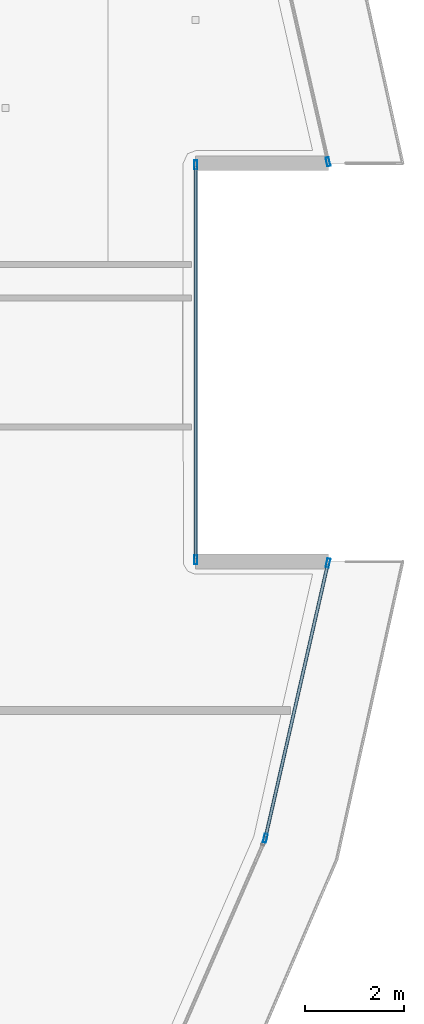
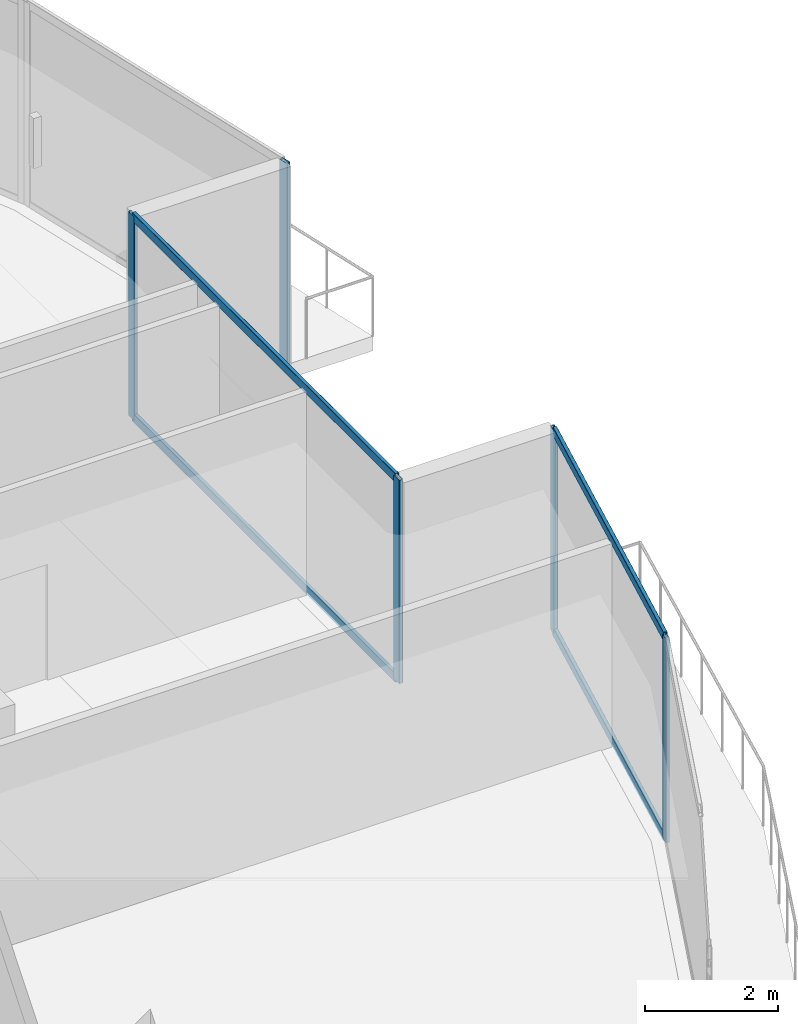
# One storey, part 14 of 34: 9 members, 3 elements without a shape of their own.
"""IFC4 building model written with IfcOpenShell, lengths in metres."""

from ifc_helpers import new_model, si_unit, direction, frame, origin, origin_2d, place, context, subcontext, project, spatial, hollow_rectangle, extrude, material, layer, layer_set, material_profile, profile_set, type_object, element, aggregate, save


model = new_model("IFC4")

# Units and contexts
model_context = context("Model", 3, precision=1e-05, world=origin(), true_north=direction((0.0, 1.0)))
body_context = subcontext(model_context, "Body", "Model", "MODEL_VIEW")
ifc_project = project(units=[si_unit("LENGTHUNIT", "METRE"), si_unit("AREAUNIT", "SQUARE_METRE"), si_unit("VOLUMEUNIT", "CUBIC_METRE"), si_unit("PLANEANGLEUNIT", "RADIAN"), si_unit("MASSUNIT", "GRAM", prefix="KILO")], contexts=[model_context])

# Site, building, storey
site_placement = place(None, origin())
site = spatial("IfcSite", under=ifc_project, at=site_placement, CompositionType="ELEMENT")
building_placement = place(site_placement, origin())
building = spatial("IfcBuilding", under=site, at=building_placement, Name="Qorvath Tower", CompositionType="ELEMENT")
storey_placement = place(building_placement, frame((0.0, 0.0, 245.550048828125)))
storey = spatial("IfcBuildingStorey", under=building, at=storey_placement, Name="L57", CompositionType="ELEMENT", Elevation=245.550048828125)

# Curtain wall, members
ifc_material_1 = material(Name="Anodised aluminium and triple low-E glass", Category="aluminium")
ifc_layer = layer(ifc_material_1, 0.179931640625)
ifc_layer_set = layer_set([ifc_layer], Name="CW-SYS-3")
curtain_wall_type = type_object("IfcCurtainWallType", Name="CW-SYS-3", PredefinedType="NOTDEFINED", material=ifc_layer_set)
curtain_wall_1_placement = place(storey_placement, origin())
curtain_wall_1 = element("IfcCurtainWall", 1, at=curtain_wall_1_placement, inside=storey, type_object=curtain_wall_type, Name="Curtain Wall CW-3 CW-T-L57-7.1", PredefinedType="NOTDEFINED")
ifc_material_2 = material(Name="Anodised aluminium 6063-T6", Category="aluminium")
ifc_material_profile_1 = material_profile(ifc_material_2, hollow_rectangle(XDim=0.06494140625, YDim=0.179931640625, WallThickness=0.00341796875, InnerFilletRadius=0.00341796875, OuterFilletRadius=0.007080078125, at=origin_2d()), Name="CWM 180x65")
ifc_profile_set_1 = profile_set([ifc_material_profile_1], Name="Anodised aluminium 6063-T6")
member_type_1 = type_object("IfcMemberType", Name="CWM-180", PredefinedType="MULLION", material=ifc_profile_set_1)
member_1_placement = place(storey_placement, frame((-1.6552734375, -9.64208984375, 0.0), z_axis=(0.0, 0.0, 1.0), x_axis=(-0.97499971703, 0.222206102058, 0.0)))
member_1 = element("IfcMember", 2, at=member_1_placement, type_object=member_type_1, Name="CW-3 mullion 1", PredefinedType="MULLION", context=body_context, shape_type="SweptSolid", body=[
    extrude(hollow_rectangle(XDim=0.06494140625, YDim=0.179931640625, WallThickness=0.00341796875, InnerFilletRadius=0.00341796875, OuterFilletRadius=0.007080078125, at=origin_2d()), origin(), (0.0, 0.0, 1.0), 3.75),
])
member_2_placement = place(storey_placement, frame((-0.38427734375, -4.0654296875, 0.0), z_axis=(0.0, 0.0, 1.0), x_axis=(-0.97499971703, 0.222206102058, 0.0)))
member_2 = element("IfcMember", 3, at=member_2_placement, type_object=member_type_1, Name="CW-3 mullion 2", PredefinedType="MULLION", context=body_context, shape_type="SweptSolid", body=[
    extrude(hollow_rectangle(XDim=0.06494140625, YDim=0.179931640625, WallThickness=0.00341796875, InnerFilletRadius=0.00341796875, OuterFilletRadius=0.007080078125, at=origin_2d()), origin(), (0.0, 0.0, 1.0), 3.75),
])

curtain_wall_2_placement = place(storey_placement, origin())
curtain_wall_2 = element("IfcCurtainWall", 4, at=curtain_wall_2_placement, inside=storey, type_object=curtain_wall_type, Name="Curtain Wall CW-3 CW-T-L57-9.1", PredefinedType="NOTDEFINED")
member_3_placement = place(storey_placement, frame((-3.066162109375, -4.001220703125, 0.0), z_axis=(0.0, 0.0, 1.0), x_axis=(-1.0, 0.0, 0.0)))
member_3 = element("IfcMember", 5, at=member_3_placement, type_object=member_type_1, Name="CW-3 mullion 1", PredefinedType="MULLION", context=body_context, shape_type="SweptSolid", body=[
    extrude(hollow_rectangle(XDim=0.06494140625, YDim=0.179931640625, WallThickness=0.00341796875, InnerFilletRadius=0.00341796875, OuterFilletRadius=0.007080078125, at=origin_2d()), origin(), (0.0, 0.0, 1.0), 3.75),
])
member_4_placement = place(storey_placement, frame((-3.066162109375, 4.001220703125, 0.0), z_axis=(0.0, 0.0, 1.0), x_axis=(-1.0, 0.0, 0.0)))
member_4 = element("IfcMember", 6, at=member_4_placement, type_object=member_type_1, Name="CW-3 mullion 2", PredefinedType="MULLION", context=body_context, shape_type="SweptSolid", body=[
    extrude(hollow_rectangle(XDim=0.06494140625, YDim=0.179931640625, WallThickness=0.00341796875, InnerFilletRadius=0.00341796875, OuterFilletRadius=0.007080078125, at=origin_2d()), origin(), (0.0, 0.0, 1.0), 3.75),
])

# Curtain wall, member
curtain_wall_3_placement = place(storey_placement, origin())
curtain_wall_3 = element("IfcCurtainWall", 7, at=curtain_wall_3_placement, inside=storey, type_object=curtain_wall_type, Name="Curtain Wall CW-3 CW-T-L57-11.1", PredefinedType="NOTDEFINED")
member_5_placement = place(storey_placement, frame((-0.38427734375, 4.0654296875, 0.0), z_axis=(0.0, 0.0, 1.0), x_axis=(-0.97499971703, -0.222206102058, 0.0)))
member_5 = element("IfcMember", 8, at=member_5_placement, type_object=member_type_1, Name="CW-3 mullion 1", PredefinedType="MULLION", context=body_context, shape_type="SweptSolid", body=[
    extrude(hollow_rectangle(XDim=0.06494140625, YDim=0.179931640625, WallThickness=0.00341796875, InnerFilletRadius=0.00341796875, OuterFilletRadius=0.007080078125, at=origin_2d()), origin(), (0.0, 0.0, 1.0), 3.75),
])
aggregate(curtain_wall_3, [member_5])

# Member
ifc_material_3 = material(Name="Anodised aluminium 6063-T6", Category="aluminium")
ifc_material_profile_2 = material_profile(ifc_material_3, hollow_rectangle(XDim=0.06494140625, YDim=0.159912109375, WallThickness=0.00341796875, InnerFilletRadius=0.00341796875, OuterFilletRadius=0.007080078125, at=origin_2d()), Name="CWT 160x65")
ifc_profile_set_2 = profile_set([ifc_material_profile_2], Name="Anodised aluminium 6063-T6")
member_type_2 = type_object("IfcMemberType", Name="CWT-160", PredefinedType="USERDEFINED", material=ifc_profile_set_2)
member_6_placement = place(storey_placement, frame((-1.64794921875, -9.6103515625, 0.032470703125), z_axis=(0.222225691425, 0.974995252332, 0.0), x_axis=(-0.974995252332, 0.222225691425, 0.0)))
member_6 = element("IfcMember", 9, at=member_6_placement, type_object=member_type_2, Name="CW-3 transom 1.1", ObjectType="TRANSOM", PredefinedType="USERDEFINED", context=body_context, shape_type="SweptSolid", body=[
    extrude(hollow_rectangle(XDim=0.06494140625, YDim=0.159912109375, WallThickness=0.00341796875, InnerFilletRadius=0.00341796875, OuterFilletRadius=0.007080078125, at=origin_2d()), origin(), (0.0, 0.0, 1.0), 5.654541015625),
])

member_7_placement = place(storey_placement, frame((-1.64794921875, -9.6103515625, 3.717529296875), z_axis=(0.222225691425, 0.974995252332, 0.0), x_axis=(-0.974995252332, 0.222225691425, 0.0)))
member_7 = element("IfcMember", 10, at=member_7_placement, type_object=member_type_2, Name="CW-3 transom 1.2", ObjectType="TRANSOM", PredefinedType="USERDEFINED", context=body_context, shape_type="SweptSolid", body=[
    extrude(hollow_rectangle(XDim=0.06494140625, YDim=0.159912109375, WallThickness=0.00341796875, InnerFilletRadius=0.00341796875, OuterFilletRadius=0.007080078125, at=origin_2d()), origin(), (0.0, 0.0, 1.0), 5.654541015625),
])

aggregate(curtain_wall_1, [member_1, member_2, member_6, member_7])

member_8_placement = place(storey_placement, frame((-3.066162109375, -3.96875, 0.032470703125), z_axis=(0.0, 1.0, 0.0), x_axis=(-1.0, 0.0, 0.0)))
member_8 = element("IfcMember", 11, at=member_8_placement, type_object=member_type_2, Name="CW-3 transom 1.1", ObjectType="TRANSOM", PredefinedType="USERDEFINED", context=body_context, shape_type="SweptSolid", body=[
    extrude(hollow_rectangle(XDim=0.06494140625, YDim=0.159912109375, WallThickness=0.00341796875, InnerFilletRadius=0.00341796875, OuterFilletRadius=0.007080078125, at=origin_2d()), origin(), (0.0, 0.0, 1.0), 7.9375),
])

member_9_placement = place(storey_placement, frame((-3.066162109375, -3.96875, 3.717529296875), z_axis=(0.0, 1.0, 0.0), x_axis=(-1.0, 0.0, 0.0)))
member_9 = element("IfcMember", 12, at=member_9_placement, type_object=member_type_2, Name="CW-3 transom 1.2", ObjectType="TRANSOM", PredefinedType="USERDEFINED", context=body_context, shape_type="SweptSolid", body=[
    extrude(hollow_rectangle(XDim=0.06494140625, YDim=0.159912109375, WallThickness=0.00341796875, InnerFilletRadius=0.00341796875, OuterFilletRadius=0.007080078125, at=origin_2d()), origin(), (0.0, 0.0, 1.0), 7.9375),
])

aggregate(curtain_wall_2, [member_3, member_4, member_8, member_9])

save(model, "model.ifc")
